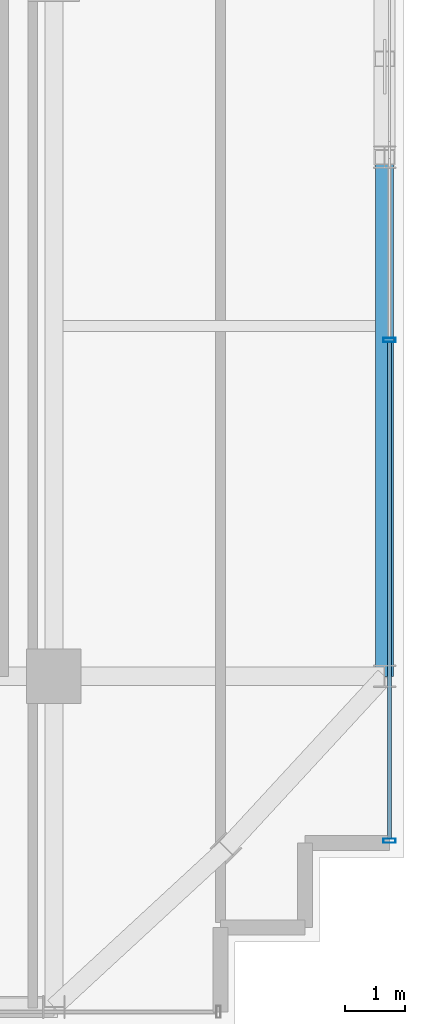
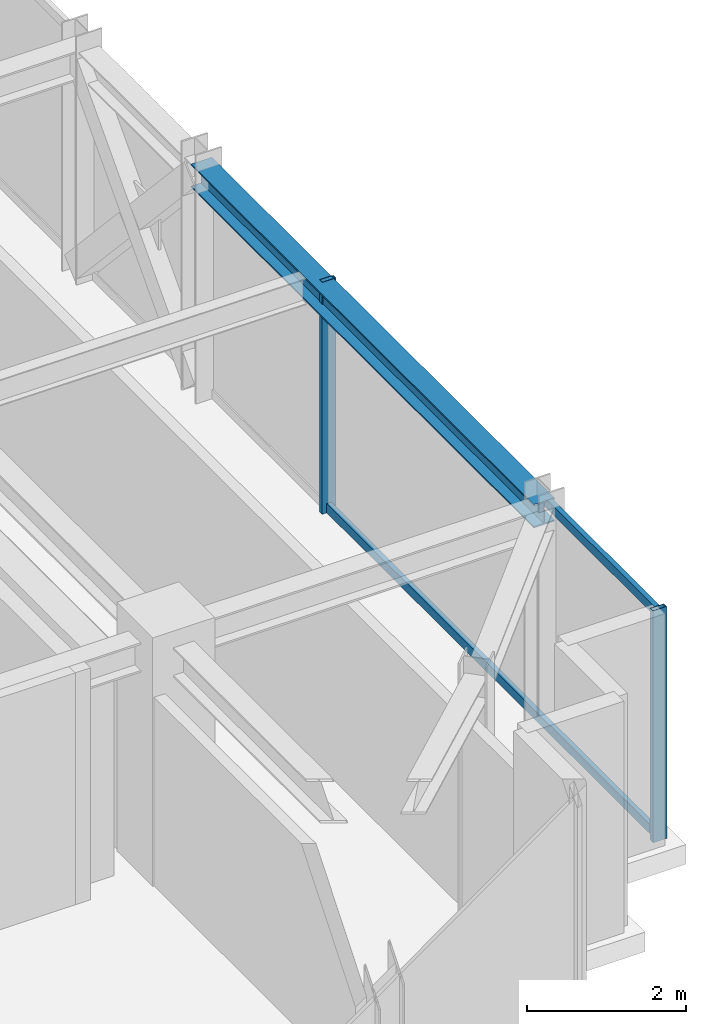
# One storey, part 16 of 37: 4 members, 1 beam, 1 element without a shape of its own.
"""IFC4 building model written with IfcOpenShell, lengths in metres."""

import ifcopenshell
import ifcopenshell.guid

model = None  # the IFC model being written
_history = None  # IfcOwnerHistory: only IFC2X3 demands one
_inside = {}  # id of a spatial element -> (the spatial element, [elements in it])
_under = {}  # id of a project, library or spatial element -> (it, [spatial elements below it])
_declared = {}  # id of a project -> (the project, [libraries it declares])
_typed = {}  # id of a type object -> (the type object, [elements of that type])
_made_of = {}  # id of a material, layer set ... -> (it, [elements and type objects made of it])


def new_model(schema):
    """Start an empty IFC model of exactly this schema.

    Asked for "IFC4X3", IfcOpenShell would pick the latest addendum, in which some entities
    have other attributes; the version numbers below select the first issue.
    IFC2X3 requires an IfcOwnerHistory on every rooted entity: one is made here for all.
    """
    global model, _history
    if schema == "IFC4X3":
        model = ifcopenshell.file(schema_version=(4, 3, 0, 0))
    else:
        model = ifcopenshell.file(schema=schema)
    _inside.clear()
    _under.clear()
    _declared.clear()
    _typed.clear()
    _made_of.clear()
    _history = None
    if model.schema == "IFC2X3":
        org = make("IfcOrganization", Name="unknown")
        user = make(
            "IfcPersonAndOrganization",
            ThePerson=make("IfcPerson", FamilyName="unknown"),
            TheOrganization=org,
        )
        app = make(
            "IfcApplication",
            ApplicationDeveloper=org,
            Version="unknown",
            ApplicationFullName="unknown",
            ApplicationIdentifier="unknown",
        )
        _history = make(
            "IfcOwnerHistory",
            OwningUser=user,
            OwningApplication=app,
            ChangeAction="ADDED",
            CreationDate=0,
        )
    return model


def make(cls, **values):
    """One entity of the class cls with the attributes given. An attribute that is None is left unset."""
    return model.create_entity(
        cls, **{name: value for name, value in values.items() if value is not None}
    )


def rooted(cls, **values):
    """An entity with a GlobalId (a new one), such as an element, a storey or a relation."""
    return make(cls, GlobalId=ifcopenshell.guid.new(), OwnerHistory=_history, **values)


def si_unit(unit_type, name, prefix=None):
    """IfcSIUnit, for example si_unit("LENGTHUNIT", "METRE", prefix="MILLI")."""
    return make("IfcSIUnit", UnitType=unit_type, Prefix=prefix, Name=name)


def assignment(units):
    """IfcUnitAssignment: the units of a project."""
    return None if units is None else make("IfcUnitAssignment", Units=units)


def point(xyz):
    """IfcCartesianPoint."""
    return None if xyz is None else make("IfcCartesianPoint", Coordinates=xyz)


def direction(xyz):
    """IfcDirection."""
    return None if xyz is None else make("IfcDirection", DirectionRatios=xyz)


def frame(location, z_axis=None, x_axis=None):
    """IfcAxis2Placement3D, a coordinate frame: its origin and axes. An axis left out is left unset."""
    return make(
        "IfcAxis2Placement3D",
        Location=point(location),
        Axis=direction(z_axis),
        RefDirection=direction(x_axis),
    )


def frame_2d(location, x_axis=None):
    """IfcAxis2Placement2D, a coordinate frame in the plane: its origin and x axis."""
    return make(
        "IfcAxis2Placement2D", Location=point(location), RefDirection=direction(x_axis)
    )


def origin():
    """The frame at (0, 0, 0) with its axes left unset."""
    return frame((0.0, 0.0, 0.0))


def origin_2d():
    """The frame at (0, 0) in the plane with its x axis left unset."""
    return frame_2d((0.0, 0.0))


def place(relative_to, where):
    """IfcLocalPlacement: puts the frame where relative to a parent placement (None: the world)."""
    return make(
        "IfcLocalPlacement", PlacementRelTo=relative_to, RelativePlacement=where
    )


def context(
    kind, dimensions, precision=None, world=None, true_north=None, identifier=None
):
    """IfcGeometricRepresentationContext, for example the 3D "Model" context."""
    return make(
        "IfcGeometricRepresentationContext",
        ContextIdentifier=identifier,
        ContextType=kind,
        CoordinateSpaceDimension=dimensions,
        Precision=precision,
        WorldCoordinateSystem=world,
        TrueNorth=true_north,
    )


def subcontext(parent, identifier, kind, view, scale=None):
    """IfcGeometricRepresentationSubContext, for example "Body" below "Model"."""
    return make(
        "IfcGeometricRepresentationSubContext",
        ContextIdentifier=identifier,
        ContextType=kind,
        ParentContext=parent,
        TargetScale=scale,
        TargetView=view,
    )


def project(units=None, contexts=None):
    """IfcProject with its units and contexts."""
    return rooted(
        "IfcProject",
        Name="project",
        RepresentationContexts=contexts,
        UnitsInContext=assignment(units),
    )


def spatial(cls, under=None, at=None, **own):
    """A site, building, storey or space (cls), placed at a placement, below another one or the project."""
    s = rooted(cls, ObjectPlacement=at, **own)
    if under is not None:
        _under.setdefault(under.id(), (under, []))[1].append(s)
    return s


def profile(cls, at=None, kind="AREA", **sizes):
    """A parametric profile (cls). Its sizes go by their IFC names, for example OverallWidth=200.0."""
    return make(cls, ProfileType=kind, Position=at, **sizes)


def hollow_rectangle(**sizes):
    """IfcRectangleHollowProfileDef."""
    return profile("IfcRectangleHollowProfileDef", **sizes)


def i_section(**sizes):
    """IfcIShapeProfileDef."""
    return profile("IfcIShapeProfileDef", **sizes)


def extrude(swept, where, along, depth):
    """IfcExtrudedAreaSolid: the profile swept, set in the frame where, extruded along a direction by depth."""
    return make(
        "IfcExtrudedAreaSolid",
        SweptArea=swept,
        Position=where,
        ExtrudedDirection=direction(along),
        Depth=depth,
    )


def shape(context_of_items, identifier, shape_type, items):
    """IfcShapeRepresentation: the items that make up one representation, for example the "Body"."""
    return make(
        "IfcShapeRepresentation",
        ContextOfItems=context_of_items,
        RepresentationIdentifier=identifier,
        RepresentationType=shape_type,
        Items=items,
    )


def source(mapping_origin, context_of_items, identifier, shape_type, items):
    """IfcRepresentationMap: a shape defined once, which mapped items show again and again."""
    return make(
        "IfcRepresentationMap",
        MappingOrigin=mapping_origin,
        MappedRepresentation=shape(context_of_items, identifier, shape_type, items),
    )


def transform(
    local_origin,
    x_axis=None,
    y_axis=None,
    z_axis=None,
    scale=None,
    scale2=None,
    scale3=None,
    uniform=True,
):
    """IfcCartesianTransformationOperator3D, or its non-uniform kind. x_axis, y_axis, z_axis: its Axis1, 2, 3."""
    if uniform:
        return make(
            "IfcCartesianTransformationOperator3D",
            Axis1=direction(x_axis),
            Axis2=direction(y_axis),
            LocalOrigin=point(local_origin),
            Scale=scale,
            Axis3=direction(z_axis),
        )
    return make(
        "IfcCartesianTransformationOperator3DnonUniform",
        Axis1=direction(x_axis),
        Axis2=direction(y_axis),
        LocalOrigin=point(local_origin),
        Scale=scale,
        Axis3=direction(z_axis),
        Scale2=scale2,
        Scale3=scale3,
    )


def mapped(mapping_source, mapping_target):
    """IfcMappedItem: shows the shape of a source again, moved by a transform."""
    return make(
        "IfcMappedItem", MappingSource=mapping_source, MappingTarget=mapping_target
    )


def material(Name=None, Category=None):
    """IfcMaterial."""
    return make("IfcMaterial", Name=Name, Category=Category)


def material_profile(
    of_material, cross_section, Name=None, Category=None, Priority=None
):
    """IfcMaterialProfile: a cross section and its material."""
    return make(
        "IfcMaterialProfile",
        Name=Name,
        Material=of_material,
        Profile=cross_section,
        Priority=Priority,
        Category=Category,
    )


def profile_set(profiles, Name=None, composite=None):
    """IfcMaterialProfileSet."""
    return make(
        "IfcMaterialProfileSet",
        Name=Name,
        MaterialProfiles=profiles,
        CompositeProfile=composite,
    )


def made_of(thing, what):
    """Note that an element or type object is made of a material, layer set ...; save() writes the relation."""
    if what is not None:
        _made_of.setdefault(what.id(), (what, []))[1].append(thing)
    return thing


def type_object(cls, material=None, **own):
    """A type object (cls), such as IfcWallType, which elements share."""
    return made_of(rooted(cls, **own), material)


def element(
    cls,
    number,
    at=None,
    inside=None,
    cuts=None,
    type_object=None,
    material=None,
    context=None,
    identifier="Body",
    shape_type=None,
    held_by="IfcProductDefinitionShape",
    body=None,
    shapes=None,
    **own,
):
    """One element of the class cls, such as IfcWall. Its Tag is "e" and its number.

    at: its placement. inside: the storey or other place that contains it. cuts: it is an
    opening in that element (IfcRelVoidsElement). A single representation is given by context,
    identifier, shape_type and body (its items); several are given by shapes. held_by: the class
    of the entity that holds the representations. save() writes the other relations.
    """
    e = rooted(cls, Tag="e%d" % number, ObjectPlacement=at, **own)
    if body is not None:
        shapes = [shape(context, identifier, shape_type, body)]
    if shapes is not None:
        e.Representation = make(held_by, Representations=shapes)
    if inside is not None:
        _inside.setdefault(inside.id(), (inside, []))[1].append(e)
    if cuts is not None:
        rooted(
            "IfcRelVoidsElement", RelatingBuildingElement=cuts, RelatedOpeningElement=e
        )
    if type_object is not None:
        _typed.setdefault(type_object.id(), (type_object, []))[1].append(e)
    return made_of(e, material)


def aggregate(whole, parts):
    """IfcRelAggregates: a whole, such as a stair, and the parts it consists of."""
    return rooted("IfcRelAggregates", RelatingObject=whole, RelatedObjects=parts)


def save(model, path):
    """Write the relations noted so far, then the file.

    IfcRelAggregates (storeys below a building ...), IfcRelContainedInSpatialStructure (elements
    in a storey), IfcRelDefinesByType, IfcRelAssociatesMaterial and IfcRelDeclares: one each for
    every whole, place, type object, material and project.
    """
    for whole, parts in _under.values():
        aggregate(whole, parts)
    for where, things in _inside.values():
        rooted(
            "IfcRelContainedInSpatialStructure",
            RelatedElements=things,
            RelatingStructure=where,
        )
    for kind, things in _typed.values():
        rooted("IfcRelDefinesByType", RelatedObjects=things, RelatingType=kind)
    for what, things in _made_of.values():
        rooted("IfcRelAssociatesMaterial", RelatedObjects=things, RelatingMaterial=what)
    for by, libraries in _declared.values():
        rooted("IfcRelDeclares", RelatingContext=by, RelatedDefinitions=libraries)
    model.write(path)


model = new_model("IFC4")

# Units and contexts
model_context = context("Model", 3, precision=1e-05, world=origin(), true_north=direction((0.0, 1.0)))
body_context = subcontext(model_context, "Body", "Model", "MODEL_VIEW")
ifc_project = project(units=[si_unit("LENGTHUNIT", "METRE"), si_unit("AREAUNIT", "SQUARE_METRE"), si_unit("VOLUMEUNIT", "CUBIC_METRE"), si_unit("PLANEANGLEUNIT", "RADIAN"), si_unit("MASSUNIT", "GRAM", prefix="KILO")], contexts=[model_context])

# Site, building, storey
site_placement = place(None, origin())
site = spatial("IfcSite", under=ifc_project, at=site_placement, CompositionType="ELEMENT")
building_placement = place(site_placement, origin())
building = spatial("IfcBuilding", under=site, at=building_placement, Name="Nahalor Promenade Grand Hotel", CompositionType="ELEMENT")
storey_placement = place(building_placement, frame((0.0, 0.0, 292.64990234375)))
storey = spatial("IfcBuildingStorey", under=building, at=storey_placement, Name="L75", CompositionType="ELEMENT", Elevation=292.64990234375)

# Beam
ifc_material_1 = material(Name="Steel S355JR", Category="steel")
ifc_material_profile_1 = material_profile(ifc_material_1, i_section(OverallWidth=0.3, OverallDepth=0.36, WebThickness=0.0125, FlangeThickness=0.0225, at=origin_2d()), Name="HEB 360")
ifc_profile_set_1 = profile_set([ifc_material_profile_1], Name="Steel S355JR")
beam_type = type_object("IfcBeamType", Name="Beam-Spandrel-HEB360", PredefinedType="SPANDREL", material=ifc_profile_set_1)
shared_shape_1 = source(origin(), body_context, "Body", "SweptSolid", [
    extrude(i_section(OverallWidth=0.3, OverallDepth=0.36, WebThickness=0.0125, FlangeThickness=0.0225, at=origin_2d()), origin(), (0.0, 0.0, 1.0), 8.60009765625),
])
beam_placement = place(storey_placement, frame((22.47998046875, -17.0, 3.3701171875), z_axis=(0.0, 1.0, 0.0), x_axis=(-1.0, 0.0, 0.0)))
element("IfcBeam", 1, at=beam_placement, inside=storey, type_object=beam_type, Name="BM-L75-SP-E-0", PredefinedType="SPANDREL", context=body_context, shape_type="MappedRepresentation", body=[
    mapped(shared_shape_1, transform((0.0, 0.0, 0.0), scale=1.0)),
])

# Curtain wall, members
ifc_material_2 = material(Name="Anodised Bronze Aluminium EN AW-6063 T6", Category="aluminium")
curtain_wall_type = type_object("IfcCurtainWallType", Name="CW3 Elliptical-Void Collar Unitised Curtain Wall", PredefinedType="USERDEFINED", material=ifc_material_2)
curtain_wall_placement = place(storey_placement, origin())
curtain_wall = element("IfcCurtainWall", 2, at=curtain_wall_placement, inside=storey, type_object=curtain_wall_type, Name="L75 Curtain Wall CW-L75-E-1", ObjectType="UNITISED_CURTAIN_WALL", PredefinedType="USERDEFINED")
ifc_material_profile_2 = material_profile(ifc_material_2, hollow_rectangle(XDim=0.07, YDim=0.14, WallThickness=0.004, at=origin_2d()), Name="CWT 70x140x4")
ifc_profile_set_2 = profile_set([ifc_material_profile_2], Name="Anodised Bronze Aluminium EN AW-6063 T6")
member_type_1 = type_object("IfcMemberType", Name="CWT3 Void Collar Transom 70x140", PredefinedType="USERDEFINED", material=ifc_profile_set_2)
shared_shape_2 = source(origin(), body_context, "Body", "SweptSolid", [
    extrude(hollow_rectangle(XDim=0.07, YDim=0.14, WallThickness=0.004, at=origin_2d()), origin(), (0.0, 0.0, 1.0), 8.224853515625),
])
member_1_placement = place(storey_placement, frame((22.56005859375, -19.68994140625, 0.070068359375), z_axis=(0.0, 1.0, 0.0), x_axis=(-1.0, 0.0, 0.0)))
member_1 = element("IfcMember", 3, at=member_1_placement, type_object=member_type_1, Name="CW-L75-E-1 Transom 0-0", ObjectType="TRANSOM", PredefinedType="USERDEFINED", context=body_context, shape_type="MappedRepresentation", body=[
    mapped(shared_shape_2, transform((0.0, 0.0, 0.0), scale=1.0)),
])
member_2_placement = place(storey_placement, frame((22.56005859375, -19.68994140625, 3.47998046875), z_axis=(0.0, 1.0, 0.0), x_axis=(-1.0, 0.0, 0.0)))
member_2 = element("IfcMember", 4, at=member_2_placement, type_object=member_type_1, Name="CW-L75-E-1 Transom 0-1", ObjectType="TRANSOM", PredefinedType="USERDEFINED", context=body_context, shape_type="MappedRepresentation", body=[
    mapped(shared_shape_2, transform((0.0, 0.0, 0.0), scale=1.0)),
])
ifc_material_profile_3 = material_profile(ifc_material_2, hollow_rectangle(XDim=0.07, YDim=0.2, WallThickness=0.005, at=origin_2d()), Name="CWM 70x200x5")
ifc_profile_set_3 = profile_set([ifc_material_profile_3], Name="Anodised Bronze Aluminium EN AW-6063 T6")
member_type_2 = type_object("IfcMemberType", Name="CWM3 Void Collar Mullion 70x200", PredefinedType="MULLION", material=ifc_profile_set_3)
shared_shape_3 = source(origin(), body_context, "Body", "SweptSolid", [
    extrude(hollow_rectangle(XDim=0.07, YDim=0.2, WallThickness=0.005, at=origin_2d()), origin(), (0.0, 0.0, 1.0), 3.550048828125),
])
member_3_placement = place(storey_placement, frame((22.56005859375, -19.72509765625, 0.0), z_axis=(0.0, 0.0, 1.0), x_axis=(0.0, 1.0, 0.0)))
member_3 = element("IfcMember", 5, at=member_3_placement, type_object=member_type_2, Name="CW-L75-E-1 Mullion 0", PredefinedType="MULLION", context=body_context, shape_type="MappedRepresentation", body=[
    mapped(shared_shape_3, transform((0.0, 0.0, 0.0), scale=1.0)),
])
member_4_placement = place(storey_placement, frame((22.56005859375, -11.429931640625, 0.0), z_axis=(0.0, 0.0, 1.0), x_axis=(0.0, 1.0, 0.0)))
member_4 = element("IfcMember", 6, at=member_4_placement, type_object=member_type_2, Name="CW-L75-E-1 Mullion 1", PredefinedType="MULLION", context=body_context, shape_type="MappedRepresentation", body=[
    mapped(shared_shape_3, transform((0.0, 0.0, 0.0), scale=1.0)),
])
aggregate(curtain_wall, [member_3, member_4, member_1, member_2])

save(model, "model.ifc")
